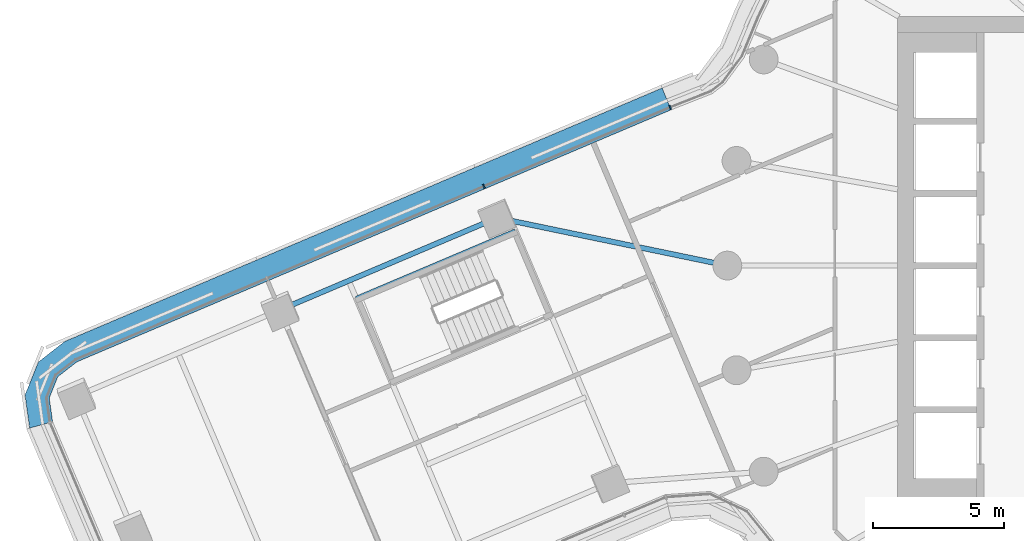
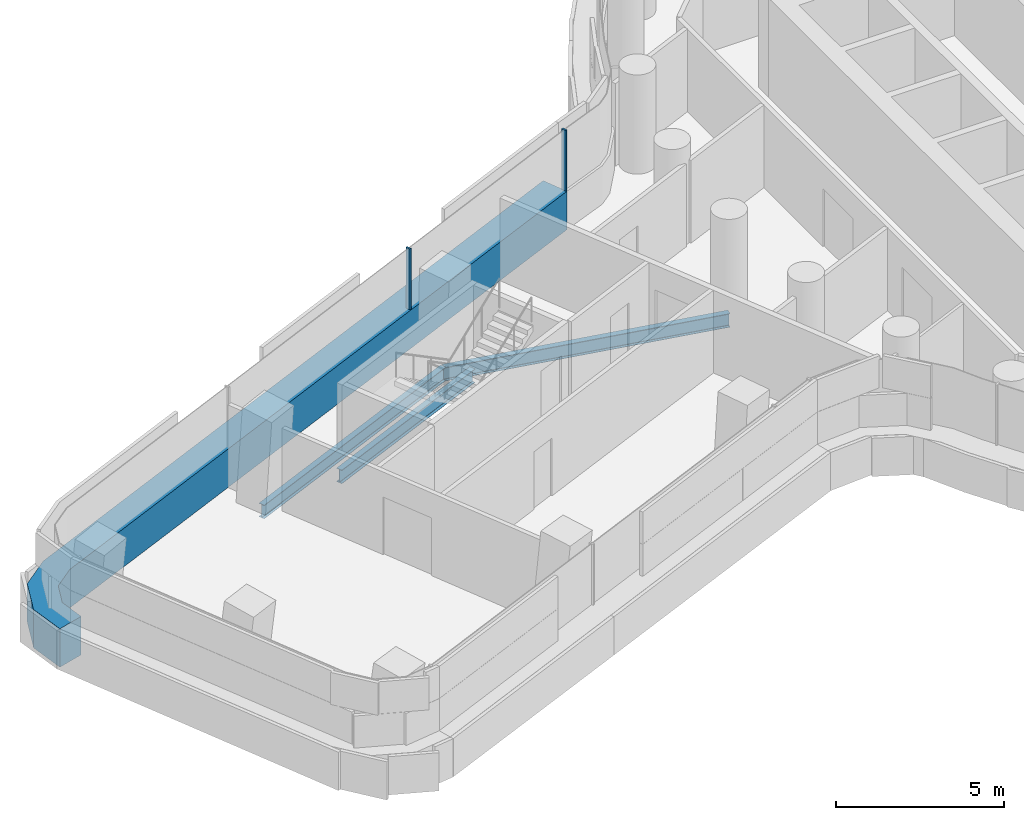
# One storey, part 7 of 35: 3 beams, 3 members, 1 element without a shape of its own.
"""IFC4 building model written with IfcOpenShell, lengths in metres."""

from ifc_helpers import new_model, si_unit, direction, frame, origin, origin_2d, place, context, subcontext, project, spatial, polyline, rectangle, i_section, outline, extrude, material, layer, layer_set, material_profile, profile_set, type_object, element, aggregate, save


model = new_model("IFC4")

# Units and contexts
model_context = context("Model", 3, precision=1e-05, world=origin(), true_north=direction((0.0, 1.0)))
body_context = subcontext(model_context, "Body", "Model", "MODEL_VIEW")
ifc_project = project(units=[si_unit("LENGTHUNIT", "METRE"), si_unit("AREAUNIT", "SQUARE_METRE"), si_unit("VOLUMEUNIT", "CUBIC_METRE"), si_unit("PLANEANGLEUNIT", "RADIAN"), si_unit("MASSUNIT", "GRAM", prefix="KILO")], contexts=[model_context])

# Site, building, storey
site_placement = place(None, origin())
site = spatial("IfcSite", under=ifc_project, at=site_placement, CompositionType="ELEMENT")
building_placement = place(site_placement, origin())
building = spatial("IfcBuilding", under=site, at=building_placement, Name="Tamarind Cross Interchange Tower", CompositionType="ELEMENT")
storey_placement = place(building_placement, frame((0.0, 0.0, 117.25)))
storey = spatial("IfcBuildingStorey", under=building, at=storey_placement, Name="L28", CompositionType="ELEMENT", Elevation=117.25)

# Beams
ifc_material_1 = material(Name="Steel Q355B", Category="steel")
ifc_material_profile_1 = material_profile(ifc_material_1, i_section(OverallWidth=0.198974609375, OverallDepth=0.49609375, WebThickness=0.009033203125, FlangeThickness=0.013916015625, FilletRadius=0.012939453125, at=origin_2d()), Name="HN 496x199x9x14")
ifc_profile_set_1 = profile_set([ifc_material_profile_1], Name="Steel Q355B")
beam_type = type_object("IfcBeamType", Name="Composite beam HN 496x199x9x14 Q355B", PredefinedType="BEAM", material=ifc_profile_set_1)
beam_1_placement = place(storey_placement, frame((-40.07421875, -1.6923828125, -0.387939453125), z_axis=(0.920596558371, 0.390515014713, 0.0), x_axis=(-0.390515014713, 0.920596558371, 0.0)))
element("IfcBeam", 1, at=beam_1_placement, inside=storey, type_object=beam_type, Name="Beam W-edgeem6", PredefinedType="BEAM", context=body_context, shape_type="SweptSolid", body=[
    extrude(i_section(OverallWidth=0.198974609375, OverallDepth=0.49609375, WebThickness=0.009033203125, FlangeThickness=0.013916015625, FilletRadius=0.012939453125, at=origin_2d()), origin(), (0.0, 0.0, 1.0), 9.0),
])
beam_2_placement = place(storey_placement, frame((-31.788818359375, 1.822265625, -0.387939453125), z_axis=(0.979174358116, -0.203021123058, 0.0), x_axis=(0.203021123058, 0.979174358116, 0.0)))
element("IfcBeam", 2, at=beam_2_placement, inside=storey, type_object=beam_type, Name="Beam W-linkem", PredefinedType="BEAM", context=body_context, shape_type="SweptSolid", body=[
    extrude(i_section(OverallWidth=0.198974609375, OverallDepth=0.49609375, WebThickness=0.009033203125, FlangeThickness=0.013916015625, FilletRadius=0.012939453125, at=origin_2d()), origin(), (0.0, 0.0, 1.0), 8.975830078125),
])
beam_3_placement = place(storey_placement, frame((-31.08154296875, 1.307373046875, -0.387939453125), z_axis=(-0.920609990967, -0.390483347316, 0.0), x_axis=(0.390483347316, -0.920609990967, 0.0)))
element("IfcBeam", 3, at=beam_3_placement, inside=storey, type_object=beam_type, Name="Beam W-tr0", PredefinedType="BEAM", context=body_context, shape_type="SweptSolid", body=[
    extrude(i_section(OverallWidth=0.198974609375, OverallDepth=0.49609375, WebThickness=0.009033203125, FlangeThickness=0.013916015625, FilletRadius=0.012939453125, at=origin_2d()), origin(), (0.0, 0.0, 1.0), 6.599853515625),
])

# Curtain wall, members
ifc_material_2 = material(Name="Aluminium 6063-T6", Category="aluminium")
ifc_layer = layer(ifc_material_2, 0.159912109375)
ifc_layer_set = layer_set([ifc_layer], Name="Aluminium 6063-T6")
curtain_wall_type = type_object("IfcCurtainWallType", Name="Office curtain wall, 9.0 m bays", PredefinedType="NOTDEFINED", material=ifc_layer_set)
curtain_wall_placement = place(storey_placement, origin())
curtain_wall = element("IfcCurtainWall", 4, at=curtain_wall_placement, inside=storey, type_object=curtain_wall_type, Name="CWS-L28-15", PredefinedType="NOTDEFINED")
ifc_material_3 = material(Name="Aluminium and insulated spandrel panel", Category="aluminium")
member_type_1 = type_object("IfcMemberType", Name="Floor-edge blade transom", PredefinedType="USERDEFINED", material=ifc_material_3)
member_1_placement = place(storey_placement, origin())
member_1 = element("IfcMember", 5, at=member_1_placement, type_object=member_type_1, Name="CWT-L28-15", ObjectType="TRANSOM", PredefinedType="USERDEFINED", context=body_context, shape_type="SweptSolid", body=[
    extrude(outline(polyline([(-25.145751953125, 5.943603515625), (-47.82861328125, -3.67822265625), (-48.55029296875, -4.241455078125), (-48.8779296875, -5.05224609375), (-48.750732421875, -5.958740234375), (-49.625732421875, -6.201171875), (-49.802734375, -4.9384765625), (-49.294189453125, -3.6806640625), (-48.289306640625, -2.895751953125), (-25.486572265625, 6.776611328125), (-25.145751953125, 5.943603515625)])), origin(), (0.0, 0.0, 1.0), 1.39990234375),
])
ifc_material_profile_2 = material_profile(ifc_material_2, rectangle(XDim=0.06005859375, YDim=0.159912109375, at=origin_2d()), Name="Mullion CW1")
ifc_profile_set_2 = profile_set([ifc_material_profile_2], Name="Aluminium 6063-T6")
member_type_2 = type_object("IfcMemberType", Name="Mullion CW1", PredefinedType="MULLION", material=ifc_profile_set_2)
member_2_placement = place(storey_placement, frame((-25.18359375, 6.0361328125, 1.39990234375), z_axis=(0.0, 0.0, 1.0), x_axis=(-0.925506909721, -0.37873072236, 0.0)))
member_2 = element("IfcMember", 6, at=member_2_placement, type_object=member_type_2, Name="CWM-L28-15-00", PredefinedType="MULLION", context=body_context, shape_type="SweptSolid", body=[
    extrude(rectangle(XDim=0.06005859375, YDim=0.159912109375, at=origin_2d()), origin(), (0.0, 0.0, 1.0), 2.210205078125),
])
member_3_placement = place(storey_placement, frame((-32.290283203125, 3.021484375, 1.39990234375), z_axis=(0.0, 0.0, 1.0), x_axis=(-0.920603025823, -0.390499768049, 0.0)))
member_3 = element("IfcMember", 7, at=member_3_placement, type_object=member_type_2, Name="CWM-L28-15-01", PredefinedType="MULLION", context=body_context, shape_type="SweptSolid", body=[
    extrude(rectangle(XDim=0.06005859375, YDim=0.159912109375, at=origin_2d()), origin(), (0.0, 0.0, 1.0), 2.210205078125),
])
aggregate(curtain_wall, [member_2, member_3, member_1])

save(model, "model.ifc")
